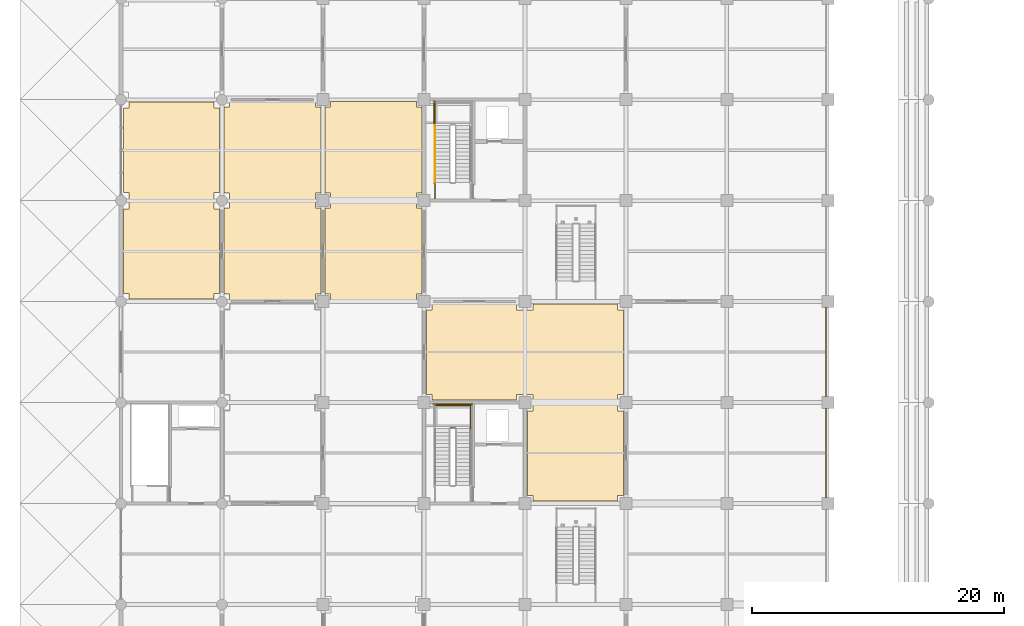
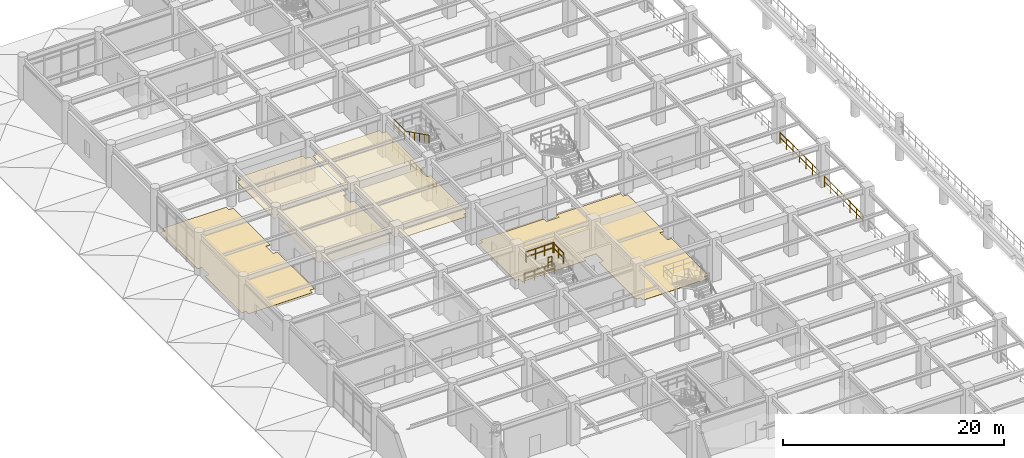
# One storey, part 97 of 109: 10 railings, 4 coverings.
"""IFC4 building model written with IfcOpenShell, lengths in metres."""

from ifc_helpers import new_model, si_unit, direction, frame, origin, origin_2d, place, context, subcontext, project, spatial, polyline, circle, outline, extrude, material, layer, layer_set, type_object, element, save


model = new_model("IFC4")

# Units and contexts
model_context = context("Model", 3, precision=1e-05, world=origin(), true_north=direction((0.0, 1.0)))
body_context = subcontext(model_context, "Body", "Model", "MODEL_VIEW")
ifc_project = project(units=[si_unit("LENGTHUNIT", "METRE"), si_unit("AREAUNIT", "SQUARE_METRE"), si_unit("VOLUMEUNIT", "CUBIC_METRE"), si_unit("PLANEANGLEUNIT", "RADIAN"), si_unit("MASSUNIT", "GRAM", prefix="KILO")], contexts=[model_context])

# Site, building, storey
site_placement = place(None, origin())
site = spatial("IfcSite", under=ifc_project, at=site_placement, CompositionType="ELEMENT")
building_placement = place(site_placement, origin())
building = spatial("IfcBuilding", under=site, at=building_placement, Name="Haebicheon Civic Stadium", CompositionType="ELEMENT")
storey_placement = place(building_placement, frame((0.0, 0.0, 9.60009765625)))
storey = spatial("IfcBuildingStorey", under=building, at=storey_placement, Name="L03", CompositionType="ELEMENT", Elevation=9.60009765625)

# Coverings
ifc_material_1 = material(Name="Perforated mineral-fibre acoustic board", Category="gypsum")
ifc_layer_1 = layer(ifc_material_1, 0.0400390625, Name="Perforated mineral-fibre acoustic board")
ifc_layer_set_1 = layer_set([ifc_layer_1], Name="Perforated mineral-fibre acoustic board")
covering_type_1 = type_object("IfcCoveringType", Name="COV-CLG-AC", PredefinedType="CEILING", material=ifc_layer_set_1)
covering_1_placement = place(storey_placement, frame((0.0, 0.0, 2.809814453125)))
element("IfcCovering", 1, at=covering_1_placement, inside=storey, type_object=covering_type_1, material=ifc_layer_set_1, Name="L03 Supporters' Club Lounge acoustic ceiling", PredefinedType="CEILING", context=body_context, shape_type="SweptSolid", body=[
    extrude(outline(polyline([(24.594970703125, 96.14501953125), (24.594970703125, 96.594970703125), (24.14501953125, 96.594970703125), (24.14501953125, 103.405029296875), (24.594970703125, 103.405029296875), (24.594970703125, 104.594970703125), (24.14501953125, 104.594970703125), (24.14501953125, 111.405029296875), (24.594970703125, 111.405029296875), (24.594970703125, 111.85498046875), (31.405029296875, 111.85498046875), (31.405029296875, 111.405029296875), (31.85498046875, 111.405029296875), (31.85498046875, 104.594970703125), (31.405029296875, 104.594970703125), (31.405029296875, 103.405029296875), (31.85498046875, 103.405029296875), (31.85498046875, 96.594970703125), (31.405029296875, 96.594970703125), (31.405029296875, 96.14501953125), (24.594970703125, 96.14501953125)])), origin(), (0.0, 0.0, 1.0), 0.0400390625),
])
covering_2_placement = place(storey_placement, frame((0.0, 0.0, 2.809814453125)))
element("IfcCovering", 2, at=covering_2_placement, inside=storey, type_object=covering_type_1, material=ifc_layer_set_1, Name="L03 Civic Education Studio acoustic ceiling", PredefinedType="CEILING", context=body_context, shape_type="SweptSolid", body=[
    extrude(outline(polyline([(16.594970703125, 96.14501953125), (16.594970703125, 96.594970703125), (16.14501953125, 96.594970703125), (16.14501953125, 103.405029296875), (16.594970703125, 103.405029296875), (16.594970703125, 104.594970703125), (16.14501953125, 104.594970703125), (16.14501953125, 111.405029296875), (16.594970703125, 111.405029296875), (16.594970703125, 111.85498046875), (23.405029296875, 111.85498046875), (23.405029296875, 111.405029296875), (23.85498046875, 111.405029296875), (23.85498046875, 104.594970703125), (23.405029296875, 104.594970703125), (23.405029296875, 103.405029296875), (23.85498046875, 103.405029296875), (23.85498046875, 96.594970703125), (23.405029296875, 96.594970703125), (23.405029296875, 96.14501953125), (16.594970703125, 96.14501953125)])), origin(), (0.0, 0.0, 1.0), 0.0400390625),
])
ifc_material_2 = material(Name="Quartz epoxy resin mortar", Category="concrete")
ifc_layer_2 = layer(ifc_material_2, 0.030029296875, Name="Quartz epoxy resin mortar")
ifc_layer_set_2 = layer_set([ifc_layer_2], Name="Quartz epoxy resin mortar")
covering_type_2 = type_object("IfcCoveringType", Name="COV-FLR-EPX", PredefinedType="FLOORING", material=ifc_layer_set_2)
covering_3_placement = place(storey_placement, origin())
element("IfcCovering", 3, at=covering_3_placement, inside=storey, type_object=covering_type_2, material=ifc_layer_set_2, Name="L03 Sponsor Reception Suite non-slip floor finish", PredefinedType="FLOORING", context=body_context, shape_type="SweptSolid", body=[
    extrude(outline(polyline([(40.64990234375, 80.199951171875), (40.64990234375, 80.64990234375), (40.199951171875, 80.64990234375), (40.199951171875, 87.35009765625), (40.64990234375, 87.35009765625), (40.64990234375, 88.64990234375), (39.35009765625, 88.64990234375), (39.35009765625, 88.199951171875), (32.64990234375, 88.199951171875), (32.64990234375, 88.64990234375), (32.199951171875, 88.64990234375), (32.199951171875, 95.35009765625), (32.64990234375, 95.35009765625), (32.64990234375, 95.800048828125), (39.35009765625, 95.800048828125), (39.35009765625, 95.35009765625), (40.64990234375, 95.35009765625), (40.64990234375, 95.800048828125), (47.35009765625, 95.800048828125), (47.35009765625, 95.35009765625), (47.800048828125, 95.35009765625), (47.800048828125, 88.64990234375), (47.35009765625, 88.64990234375), (47.35009765625, 87.35009765625), (47.800048828125, 87.35009765625), (47.800048828125, 80.64990234375), (47.35009765625, 80.64990234375), (47.35009765625, 80.199951171875), (40.64990234375, 80.199951171875)])), origin(), (0.0, 0.0, 1.0), 0.02978515625),
])
covering_4_placement = place(storey_placement, origin())
element("IfcCovering", 4, at=covering_4_placement, inside=storey, type_object=covering_type_2, material=ifc_layer_set_2, Name="L03 Civic Education Studio non-slip floor finish", PredefinedType="FLOORING", context=body_context, shape_type="SweptSolid", body=[
    extrude(outline(polyline([(8.64990234375, 96.199951171875), (8.64990234375, 96.64990234375), (8.199951171875, 96.64990234375), (8.199951171875, 103.35009765625), (8.64990234375, 103.35009765625), (8.64990234375, 104.64990234375), (8.199951171875, 104.64990234375), (8.199951171875, 111.35009765625), (8.64990234375, 111.35009765625), (8.64990234375, 111.800048828125), (15.35009765625, 111.800048828125), (15.35009765625, 111.35009765625), (15.800048828125, 111.35009765625), (15.800048828125, 104.64990234375), (15.35009765625, 104.64990234375), (15.35009765625, 103.35009765625), (15.800048828125, 103.35009765625), (15.800048828125, 96.64990234375), (15.35009765625, 96.64990234375), (15.35009765625, 96.199951171875), (8.64990234375, 96.199951171875)])), origin(), (0.0, 0.0, 1.0), 0.02978515625),
])

# Railings
ifc_material_3 = material(Name="Stainless steel 316 and laminated glass", Category="steel")
railing_type_1 = type_object("IfcRailingType", Name="RL-BAL-1200", PredefinedType="BALUSTRADE", material=ifc_material_3)
for number, where, name in (
    (5, (63.860107421875, 80.47509765625, 0.0), "L03 concourse bowl-edge balustrade 047"),
    (6, (63.860107421875, 88.47509765625, 0.0), "L03 concourse bowl-edge balustrade 048"),
):
    element("IfcRailing", number, at=place(storey_placement, frame(where)), inside=storey, type_object=railing_type_1, material=ifc_material_3, Name=name, PredefinedType="BALUSTRADE", context=body_context, shape_type="SweptSolid", body=[
        extrude(circle(Radius=0.02392578125, at=origin_2d()), frame((0.0, 0.0, 1.17578125), z_axis=(0.0, 1.0, 0.0), x_axis=(-1.0, 0.0, 0.0)), (0.0, 0.0, 1.0), 7.0498046875),
        extrude(circle(Radius=0.02392578125, at=origin_2d()), frame((0.0, 0.0, 0.60009765625), z_axis=(0.0, 1.0, 0.0), x_axis=(-1.0, 0.0, 0.0)), (0.0, 0.0, 1.0), 7.0498046875),
        extrude(circle(Radius=0.02099609375, at=origin_2d()), origin(), (0.0, 0.0, 1.0), 1.15185546875),
        extrude(circle(Radius=0.02099609375, at=origin_2d()), frame((0.0, 1.175048828125, 0.0)), (0.0, 0.0, 1.0), 1.15185546875),
        extrude(circle(Radius=0.02099609375, at=origin_2d()), frame((0.0, 2.349853515625, 0.0)), (0.0, 0.0, 1.0), 1.15185546875),
        extrude(circle(Radius=0.02099609375, at=origin_2d()), frame((0.0, 3.52490234375, 0.0)), (0.0, 0.0, 1.0), 1.15185546875),
        extrude(circle(Radius=0.02099609375, at=origin_2d()), frame((0.0, 4.699951171875, 0.0)), (0.0, 0.0, 1.0), 1.15185546875),
        extrude(circle(Radius=0.02099609375, at=origin_2d()), frame((0.0, 5.874755859375, 0.0)), (0.0, 0.0, 1.0), 1.15185546875),
        extrude(circle(Radius=0.02099609375, at=origin_2d()), frame((0.0, 7.0498046875, 0.0)), (0.0, 0.0, 1.0), 1.15185546875),
    ])
ifc_material_4 = material(Name="Galvanised painted steel SM355", Category="steel")
railing_type_2 = type_object("IfcRailingType", Name="RL-GRD-1150", PredefinedType="GUARDRAIL", material=ifc_material_4)
railing_1_placement = place(storey_placement, frame((34.47998046875, 86.0, 2.39990234375)))
element("IfcRailing", 7, at=railing_1_placement, inside=storey, type_object=railing_type_2, material=ifc_material_4, Name="L03 ST-03 stair guard 2", PredefinedType="GUARDRAIL", context=body_context, shape_type="SweptSolid", body=[
    extrude(circle(Radius=0.02392578125, at=origin_2d()), frame((0.0, 0.0, 1.1259765625), z_axis=(-1.0, 0.0, 0.0), x_axis=(0.0, -1.0, 0.0)), (0.0, 0.0, 1.0), 0.3798828125),
    extrude(circle(Radius=0.02392578125, at=origin_2d()), frame((0.0, 0.0, 0.574951171875), z_axis=(-1.0, 0.0, 0.0), x_axis=(0.0, -1.0, 0.0)), (0.0, 0.0, 1.0), 0.3798828125),
    extrude(circle(Radius=0.02099609375, at=origin_2d()), origin(), (0.0, 0.0, 1.0), 1.101806640625),
    extrude(circle(Radius=0.02099609375, at=origin_2d()), frame((-0.3798828125, 0.0, 0.0)), (0.0, 0.0, 1.0), 1.101806640625),
])
railing_2_placement = place(storey_placement, frame((35.68994140625, 85.949951171875, 2.39990234375)))
element("IfcRailing", 8, at=railing_2_placement, inside=storey, type_object=railing_type_2, material=ifc_material_4, Name="L03 ST-03 stair guard 3", PredefinedType="GUARDRAIL", context=body_context, shape_type="SweptSolid", body=[
    extrude(circle(Radius=0.02392578125, at=origin_2d()), frame((0.0, 0.0, 1.1259765625), z_axis=(0.0, 1.0, 0.0), x_axis=(-1.0, 0.0, 0.0)), (0.0, 0.0, 1.0), 1.89013671875),
    extrude(circle(Radius=0.02392578125, at=origin_2d()), frame((0.0, 0.0, 0.574951171875), z_axis=(0.0, 1.0, 0.0), x_axis=(-1.0, 0.0, 0.0)), (0.0, 0.0, 1.0), 1.89013671875),
    extrude(circle(Radius=0.02099609375, at=origin_2d()), origin(), (0.0, 0.0, 1.0), 1.101806640625),
    extrude(circle(Radius=0.02099609375, at=origin_2d()), frame((0.0, 0.945068359375, 0.0)), (0.0, 0.0, 1.0), 1.101806640625),
    extrude(circle(Radius=0.02099609375, at=origin_2d()), frame((0.0, 1.89013671875, 0.0)), (0.0, 0.0, 1.0), 1.101806640625),
])
railing_3_placement = place(storey_placement, frame((35.739990234375, 87.7900390625, 2.39990234375)))
element("IfcRailing", 9, at=railing_3_placement, inside=storey, type_object=railing_type_2, material=ifc_material_4, Name="L03 ST-03 stair guard 5", PredefinedType="GUARDRAIL", context=body_context, shape_type="SweptSolid", body=[
    extrude(circle(Radius=0.02392578125, at=origin_2d()), frame((0.0, 0.0, 1.1259765625), z_axis=(-1.0, 0.0, 0.0), x_axis=(0.0, -1.0, 0.0)), (0.0, 0.0, 1.0), 2.89990234375),
    extrude(circle(Radius=0.02392578125, at=origin_2d()), frame((0.0, 0.0, 0.574951171875), z_axis=(-1.0, 0.0, 0.0), x_axis=(0.0, -1.0, 0.0)), (0.0, 0.0, 1.0), 2.89990234375),
    extrude(circle(Radius=0.02099609375, at=origin_2d()), origin(), (0.0, 0.0, 1.0), 1.101806640625),
    extrude(circle(Radius=0.02099609375, at=origin_2d()), frame((-0.966552734375, 0.0, 0.0)), (0.0, 0.0, 1.0), 1.101806640625),
    extrude(circle(Radius=0.02099609375, at=origin_2d()), frame((-1.933349609375, 0.0, 0.0)), (0.0, 0.0, 1.0), 1.101806640625),
    extrude(circle(Radius=0.02099609375, at=origin_2d()), frame((-2.89990234375, 0.0, 0.0)), (0.0, 0.0, 1.0), 1.101806640625),
])
railing_4_placement = place(storey_placement, frame((35.840087890625, 87.889892578125, 0.0)))
element("IfcRailing", 10, at=railing_4_placement, inside=storey, type_object=railing_type_2, material=ifc_material_4, Name="L03 ST-03 stair guard 12", PredefinedType="GUARDRAIL", context=body_context, shape_type="SweptSolid", body=[
    extrude(circle(Radius=0.02392578125, at=origin_2d()), frame((0.0, 0.0, 1.1259765625), z_axis=(-1.0, 0.0, 0.0), x_axis=(0.0, -1.0, 0.0)), (0.0, 0.0, 1.0), 3.10009765625),
    extrude(circle(Radius=0.02392578125, at=origin_2d()), frame((0.0, 0.0, 0.574951171875), z_axis=(-1.0, 0.0, 0.0), x_axis=(0.0, -1.0, 0.0)), (0.0, 0.0, 1.0), 3.10009765625),
    extrude(circle(Radius=0.02099609375, at=origin_2d()), origin(), (0.0, 0.0, 1.0), 1.101806640625),
    extrude(circle(Radius=0.02099609375, at=origin_2d()), frame((-1.033447265625, 0.0, 0.0)), (0.0, 0.0, 1.0), 1.101806640625),
    extrude(circle(Radius=0.02099609375, at=origin_2d()), frame((-2.066650390625, 0.0, 0.0)), (0.0, 0.0, 1.0), 1.101806640625),
    extrude(circle(Radius=0.02099609375, at=origin_2d()), frame((-3.10009765625, 0.0, 0.0)), (0.0, 0.0, 1.0), 1.101806640625),
])
railing_5_placement = place(storey_placement, frame((32.889892578125, 109.949951171875, 2.39990234375)))
element("IfcRailing", 11, at=railing_5_placement, inside=storey, type_object=railing_type_2, material=ifc_material_4, Name="L03 ST-04 stair guard 4", PredefinedType="GUARDRAIL", context=body_context, shape_type="SweptSolid", body=[
    extrude(circle(Radius=0.02392578125, at=origin_2d()), frame((0.0, 0.0, 1.1259765625), z_axis=(0.0, 1.0, 0.0), x_axis=(-1.0, 0.0, 0.0)), (0.0, 0.0, 1.0), 1.89013671875),
    extrude(circle(Radius=0.02392578125, at=origin_2d()), frame((0.0, 0.0, 0.574951171875), z_axis=(0.0, 1.0, 0.0), x_axis=(-1.0, 0.0, 0.0)), (0.0, 0.0, 1.0), 1.89013671875),
    extrude(circle(Radius=0.02099609375, at=origin_2d()), origin(), (0.0, 0.0, 1.0), 1.101806640625),
    extrude(circle(Radius=0.02099609375, at=origin_2d()), frame((0.0, 0.945068359375, 0.0)), (0.0, 0.0, 1.0), 1.101806640625),
    extrude(circle(Radius=0.02099609375, at=origin_2d()), frame((0.0, 1.89013671875, 0.0)), (0.0, 0.0, 1.0), 1.101806640625),
])
railing_6_placement = place(storey_placement, frame((32.889892578125, 104.159912109375, 0.0)))
element("IfcRailing", 12, at=railing_6_placement, inside=storey, type_object=railing_type_2, material=ifc_material_4, Name="L03 ST-04 stair guard 9", PredefinedType="GUARDRAIL", context=body_context, shape_type="SweptSolid", body=[
    extrude(circle(Radius=0.02392578125, at=origin_2d()), frame((0.0, 0.0, 1.1259765625), z_axis=(0.0, 1.0, 0.0), x_axis=(-1.0, 0.0, 0.0)), (0.0, 0.0, 1.0), 1.2900390625),
    extrude(circle(Radius=0.02392578125, at=origin_2d()), frame((0.0, 0.0, 0.574951171875), z_axis=(0.0, 1.0, 0.0), x_axis=(-1.0, 0.0, 0.0)), (0.0, 0.0, 1.0), 1.2900390625),
    extrude(circle(Radius=0.02099609375, at=origin_2d()), origin(), (0.0, 0.0, 1.0), 1.101806640625),
    extrude(circle(Radius=0.02099609375, at=origin_2d()), frame((0.0, 0.64501953125, 0.0)), (0.0, 0.0, 1.0), 1.101806640625),
    extrude(circle(Radius=0.02099609375, at=origin_2d()), frame((0.0, 1.2900390625, 0.0)), (0.0, 0.0, 1.0), 1.101806640625),
])
railing_7_placement = place(storey_placement, frame((32.7900390625, 105.35009765625, 0.0)))
element("IfcRailing", 13, at=railing_7_placement, inside=storey, type_object=railing_type_2, material=ifc_material_4, Name="L03 ST-04 stair guard 11", PredefinedType="GUARDRAIL", context=body_context, shape_type="SweptSolid", body=[
    extrude(circle(Radius=0.02392578125, at=origin_2d()), frame((0.0, 0.0, 1.1259765625), z_axis=(0.0, 1.0, 0.0), x_axis=(-1.0, 0.0, 0.0)), (0.0, 0.0, 1.0), 6.58984375),
    extrude(circle(Radius=0.02392578125, at=origin_2d()), frame((0.0, 0.0, 0.574951171875), z_axis=(0.0, 1.0, 0.0), x_axis=(-1.0, 0.0, 0.0)), (0.0, 0.0, 1.0), 6.58984375),
    extrude(circle(Radius=0.02099609375, at=origin_2d()), origin(), (0.0, 0.0, 1.0), 1.101806640625),
    extrude(circle(Radius=0.02099609375, at=origin_2d()), frame((0.0, 1.098388671875, 0.0)), (0.0, 0.0, 1.0), 1.101806640625),
    extrude(circle(Radius=0.02099609375, at=origin_2d()), frame((0.0, 2.196533203125, 0.0)), (0.0, 0.0, 1.0), 1.101806640625),
    extrude(circle(Radius=0.02099609375, at=origin_2d()), frame((0.0, 3.294921875, 0.0)), (0.0, 0.0, 1.0), 1.101806640625),
    extrude(circle(Radius=0.02099609375, at=origin_2d()), frame((0.0, 4.393310546875, 0.0)), (0.0, 0.0, 1.0), 1.101806640625),
    extrude(circle(Radius=0.02099609375, at=origin_2d()), frame((0.0, 5.491455078125, 0.0)), (0.0, 0.0, 1.0), 1.101806640625),
    extrude(circle(Radius=0.02099609375, at=origin_2d()), frame((0.0, 6.58984375, 0.0)), (0.0, 0.0, 1.0), 1.101806640625),
])
ifc_material_5 = material(Name="Stainless steel 316", Category="steel")
railing_type_3 = type_object("IfcRailingType", Name="RL-HND-900", PredefinedType="HANDRAIL", material=ifc_material_5)
railing_8_placement = place(storey_placement, frame((32.889892578125, 109.949951171875, 2.5498046875)))
element("IfcRailing", 14, at=railing_8_placement, inside=storey, type_object=railing_type_3, material=ifc_material_5, Name="L03 ST-04 stair handrail 2", PredefinedType="HANDRAIL", context=body_context, shape_type="SweptSolid", body=[
    extrude(circle(Radius=0.02392578125, at=origin_2d()), frame((0.0, 0.0, 0.8759765625), z_axis=(0.0, -0.894427191, 0.4472135955), x_axis=(1.0, 0.0, 0.0)), (0.0, 0.0, 1.0), 5.03125),
    extrude(circle(Radius=0.02099609375, at=origin_2d()), origin(), (0.0, 0.0, 1.0), 0.851806640625),
    extrude(circle(Radius=0.02099609375, at=origin_2d()), frame((0.0, -0.89990234375, 0.449951171875)), (0.0, 0.0, 1.0), 0.851806640625),
    extrude(circle(Radius=0.02099609375, at=origin_2d()), frame((0.0, -1.800048828125, 0.89990234375)), (0.0, 0.0, 1.0), 0.851806640625),
    extrude(circle(Radius=0.02099609375, at=origin_2d()), frame((0.0, -2.699951171875, 1.35009765625)), (0.0, 0.0, 1.0), 0.851806640625),
    extrude(circle(Radius=0.02099609375, at=origin_2d()), frame((0.0, -3.60009765625, 1.800048828125)), (0.0, 0.0, 1.0), 0.851806640625),
    extrude(circle(Radius=0.02099609375, at=origin_2d()), frame((0.0, -4.5, 2.25)), (0.0, 0.0, 1.0), 0.851806640625),
])

save(model, "model.ifc")
